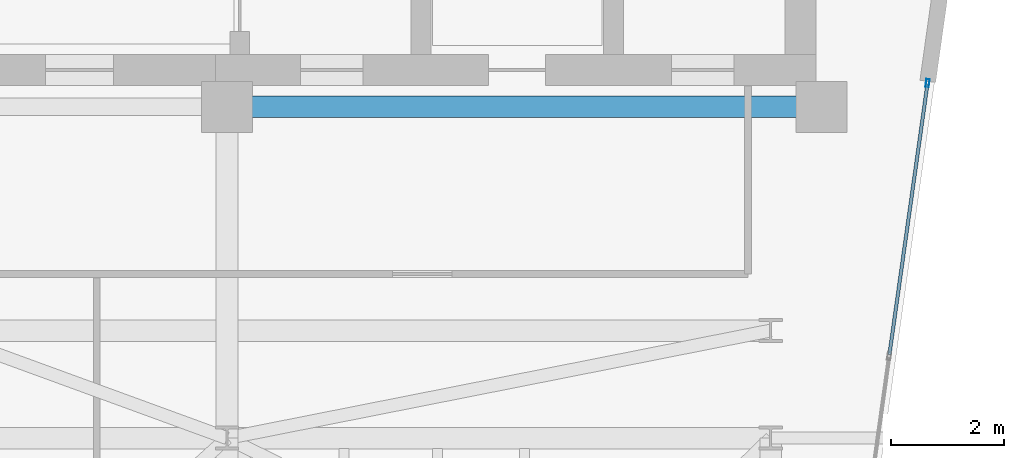
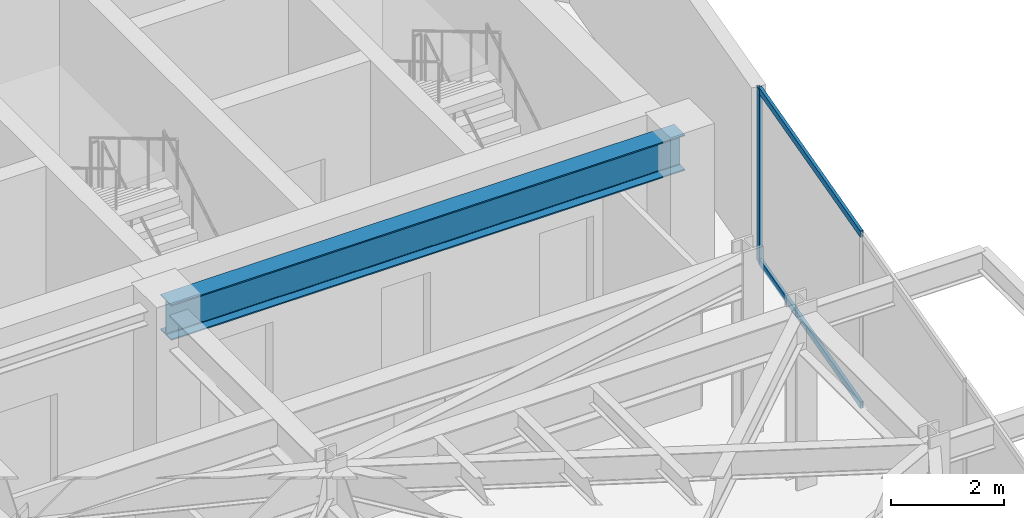
# One storey, part 15 of 21: 3 members, 1 beam, 1 element without a shape of its own.
"""IFC4 building model written with IfcOpenShell, lengths in metres."""

from ifc_helpers import new_model, si_unit, direction, frame, origin, origin_2d, place, context, subcontext, project, spatial, hollow_rectangle, i_section, extrude, material, layer, layer_set, material_profile, profile_set, type_object, element, aggregate, save


model = new_model("IFC4")

# Units and contexts
model_context = context("Model", 3, precision=1e-05, world=origin(), true_north=direction((0.0, 1.0)))
body_context = subcontext(model_context, "Body", "Model", "MODEL_VIEW")
ifc_project = project(units=[si_unit("LENGTHUNIT", "METRE"), si_unit("AREAUNIT", "SQUARE_METRE"), si_unit("VOLUMEUNIT", "CUBIC_METRE"), si_unit("PLANEANGLEUNIT", "RADIAN"), si_unit("MASSUNIT", "GRAM", prefix="KILO")], contexts=[model_context])

# Site, building, storey
site_placement = place(None, origin())
site = spatial("IfcSite", under=ifc_project, at=site_placement, CompositionType="ELEMENT")
building_placement = place(site_placement, origin())
building = spatial("IfcBuilding", under=site, at=building_placement, Name="Kravanh Interchange Tower", CompositionType="ELEMENT")
storey_placement = place(building_placement, frame((0.0, 0.0, 160.5)))
storey = spatial("IfcBuildingStorey", under=building, at=storey_placement, Name="L38", CompositionType="ELEMENT", Elevation=160.5)

# Curtain wall, members
ifc_material_1 = material(Name="Anodised Bronze Aluminium", Category="aluminium")
ifc_layer = layer(ifc_material_1, 0.179931640625)
ifc_layer_set = layer_set([ifc_layer], Name="Unitised Curtain Wall System CW-Z3 Upper Office")
curtain_wall_type = type_object("IfcCurtainWallType", Name="Unitised Curtain Wall System CW-Z3 Upper Office", PredefinedType="NOTDEFINED", material=ifc_layer_set)
curtain_wall_placement = place(storey_placement, origin())
curtain_wall = element("IfcCurtainWall", 1, at=curtain_wall_placement, inside=storey, type_object=curtain_wall_type, Name="L38 Unitised Curtain Wall CW-L38-01", PredefinedType="NOTDEFINED")
ifc_material_2 = material(Name="Anodised Bronze Aluminium", Category="aluminium")
ifc_material_profile_1 = material_profile(ifc_material_2, hollow_rectangle(XDim=0.06005859375, YDim=0.139892578125, WallThickness=0.00390625, at=origin_2d()), Name="ALU60X140X4")
ifc_profile_set_1 = profile_set([ifc_material_profile_1], Name="Anodised Bronze Aluminium")
member_type_1 = type_object("IfcMemberType", Name="Curtain Wall Mullion ALU60X140X4 Bronze", PredefinedType="MULLION", material=ifc_profile_set_1)
member_1_placement = place(storey_placement, frame((68.370849609375, 37.770263671875, 0.0), z_axis=(0.0, 0.0, 1.0), x_axis=(0.990268194035, -0.139172209446, 0.0)))
member_1 = element("IfcMember", 2, at=member_1_placement, type_object=member_type_1, Name="CW-Z3 mullion 1", PredefinedType="MULLION", context=body_context, shape_type="SweptSolid", body=[
    extrude(hollow_rectangle(XDim=0.06005859375, YDim=0.139892578125, WallThickness=0.00390625, at=origin_2d()), origin(), (0.0, 0.0, 1.0), 3.7548828125),
])
ifc_material_3 = material(Name="Anodised Bronze Aluminium", Category="aluminium")
ifc_material_profile_2 = material_profile(ifc_material_3, hollow_rectangle(XDim=0.06005859375, YDim=0.139892578125, WallThickness=0.00390625, at=origin_2d()), Name="ALU60X140X4")
ifc_profile_set_2 = profile_set([ifc_material_profile_2], Name="Anodised Bronze Aluminium")
member_type_2 = type_object("IfcMemberType", Name="Curtain Wall Transom ALU60X140X4 Bronze", PredefinedType="USERDEFINED", material=ifc_profile_set_2)
member_2_placement = place(storey_placement, frame((68.36669921875, 37.740478515625, 0.030029296875), z_axis=(-0.139189497915, -0.990265764161, 0.0), x_axis=(0.990265764161, -0.139189497915, 0.0)))
member_2 = element("IfcMember", 3, at=member_2_placement, type_object=member_type_2, Name="CW-Z3 transom 1.1", ObjectType="TRANSOM", PredefinedType="USERDEFINED", context=body_context, shape_type="SweptSolid", body=[
    extrude(hollow_rectangle(XDim=0.06005859375, YDim=0.139892578125, WallThickness=0.00390625, at=origin_2d()), origin(), (0.0, 0.0, 1.0), 4.8095703125),
])
member_3_placement = place(storey_placement, frame((68.36669921875, 37.740478515625, 3.72509765625), z_axis=(-0.139189497915, -0.990265764161, 0.0), x_axis=(0.990265764161, -0.139189497915, 0.0)))
member_3 = element("IfcMember", 4, at=member_3_placement, type_object=member_type_2, Name="CW-Z3 transom 1.2", ObjectType="TRANSOM", PredefinedType="USERDEFINED", context=body_context, shape_type="SweptSolid", body=[
    extrude(hollow_rectangle(XDim=0.06005859375, YDim=0.139892578125, WallThickness=0.00390625, at=origin_2d()), origin(), (0.0, 0.0, 1.0), 4.8095703125),
])
aggregate(curtain_wall, [member_1, member_2, member_3])

# Beam
ifc_material_4 = material(Name="Structural Steel S355", Category="steel")
ifc_material_profile_3 = material_profile(ifc_material_4, i_section(OverallWidth=0.381103515625, OverallDepth=0.77294921875, WebThickness=0.0166015625, FlangeThickness=0.027099609375, FilletRadius=0.02490234375, at=origin_2d()), Name="W30X173")
ifc_profile_set_3 = profile_set([ifc_material_profile_3], Name="Structural Steel S355")
beam_type = type_object("IfcBeamType", Name="Floor Beam W30X173 Structural Steel S355", PredefinedType="BEAM", material=ifc_profile_set_3)
beam_placement = place(storey_placement, frame((66.5, 37.35009765625, 3.368408203125), z_axis=(-1.0, 0.0, 0.0), x_axis=(0.0, -1.0, 0.0)))
element("IfcBeam", 5, at=beam_placement, inside=storey, type_object=beam_type, Name="L38 Primary Floor Girder 5", PredefinedType="BEAM", context=body_context, shape_type="SweptSolid", body=[
    extrude(i_section(OverallWidth=0.381103515625, OverallDepth=0.77294921875, WebThickness=0.0166015625, FlangeThickness=0.027099609375, FilletRadius=0.02490234375, at=origin_2d()), origin(), (0.0, 0.0, 1.0), 10.5),
])

save(model, "model.ifc")
